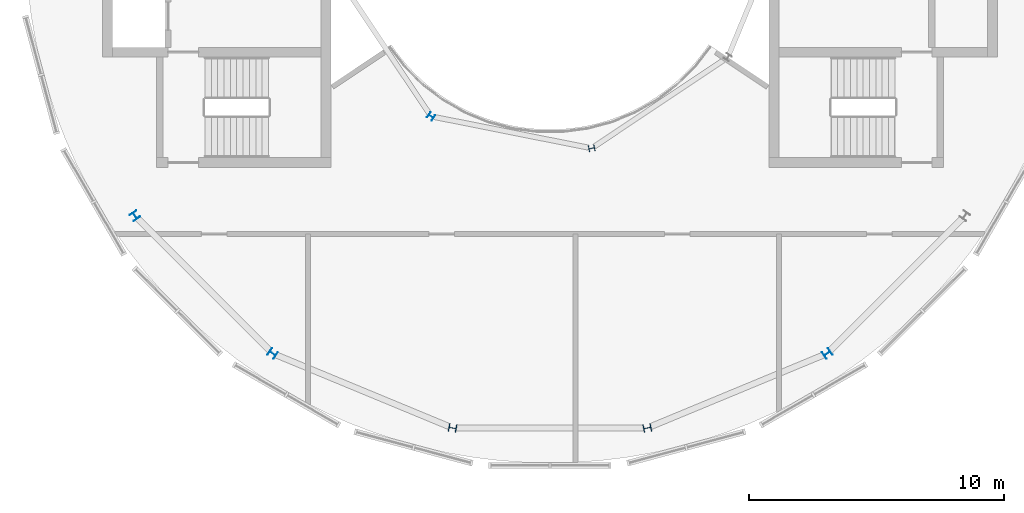
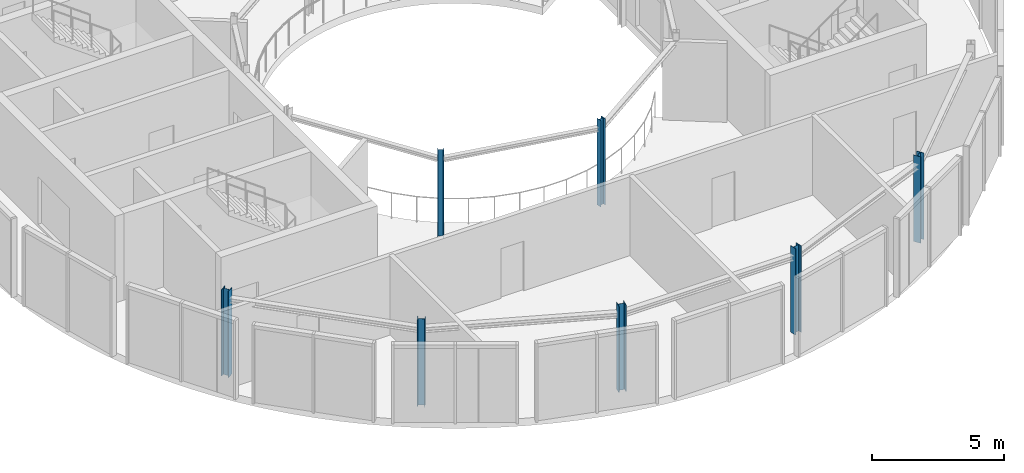
# One storey, part 1 of 12: 7 columns.
"""IFC4 building model written with IfcOpenShell, lengths in metres."""

from ifc_helpers import new_model, si_unit, direction, frame, origin, origin_2d, place, context, subcontext, project, spatial, i_section, extrude, material, material_profile, profile_set, type_object, element, save


model = new_model("IFC4")

# Units and contexts
model_context = context("Model", 3, precision=1e-05, world=origin(), true_north=direction((0.0, 1.0)))
body_context = subcontext(model_context, "Body", "Model", "MODEL_VIEW")
ifc_project = project(units=[si_unit("LENGTHUNIT", "METRE"), si_unit("AREAUNIT", "SQUARE_METRE"), si_unit("VOLUMEUNIT", "CUBIC_METRE"), si_unit("PLANEANGLEUNIT", "RADIAN"), si_unit("MASSUNIT", "GRAM", prefix="KILO")], contexts=[model_context])

# Site, building, storey
site_placement = place(None, origin())
site = spatial("IfcSite", under=ifc_project, at=site_placement, CompositionType="ELEMENT")
building_placement = place(site_placement, origin())
building = spatial("IfcBuilding", under=site, at=building_placement, Name="Maasbend Ring Residences", CompositionType="ELEMENT")
storey_placement = place(building_placement, frame((0.0, 0.0, 261.5)))
storey = spatial("IfcBuildingStorey", under=building, at=storey_placement, Name="L75", CompositionType="ELEMENT", Elevation=261.5)

# Columns
ifc_material_1 = material(Name="Steel S355J2", Category="steel")
ifc_material_profile_1 = material_profile(ifc_material_1, i_section(OverallWidth=0.239990234375, OverallDepth=0.22998046875, WebThickness=0.007568359375, FlangeThickness=0.011962890625, FilletRadius=0.02099609375, at=origin_2d()), Name="HEA 240")
ifc_profile_set_1 = profile_set([ifc_material_profile_1], Name="Steel S355J2")
column_type_1 = type_object("IfcColumnType", Name="Steel column HEA 240", PredefinedType="COLUMN", material=ifc_profile_set_1)
for number, where, z_axis, x_axis, name in (
    (1, (-4.666748046875, -6.984375, 0.0), (0.0, 0.0, 1.0), (-0.55557023302, -0.831469612303, 0.0), "Well ring column R11"),
    (2, (1.638916015625, -8.238525390625, 0.0), (0.0, 0.0, 1.0), (0.195090322016, -0.980785280403, 0.0), "Well ring column R13"),
):
    element("IfcColumn", number, at=place(storey_placement, frame(where, z_axis=z_axis, x_axis=x_axis)), inside=storey, type_object=column_type_1, Name=name, PredefinedType="COLUMN", context=body_context, shape_type="SweptSolid", body=[
        extrude(i_section(OverallWidth=0.239990234375, OverallDepth=0.22998046875, WebThickness=0.007568359375, FlangeThickness=0.011962890625, FilletRadius=0.02099609375, at=origin_2d()), origin(), (0.0, 0.0, 1.0), 4.0),
    ])
ifc_material_2 = material(Name="Steel S355J2", Category="steel")
ifc_material_profile_2 = material_profile(ifc_material_2, i_section(OverallWidth=0.300048828125, OverallDepth=0.300048828125, WebThickness=0.010986328125, FlangeThickness=0.01904296875, FilletRadius=0.027099609375, at=origin_2d()), Name="HEB 300")
ifc_profile_set_2 = profile_set([ifc_material_profile_2], Name="Steel S355J2")
column_type_2 = type_object("IfcColumnType", Name="Steel column HEB 300", PredefinedType="COLUMN", material=ifc_profile_set_2)
for number, where, z_axis, x_axis, name in (
    (3, (-16.296875, -10.88916015625, 0.0), (0.0, 0.0, 1.0), (-0.831469612303, -0.55557023302, 0.0), "Corridor ring column R10"),
    (4, (-10.88916015625, -16.296875, 0.0), (0.0, 0.0, 1.0), (-0.55557023302, -0.831469612303, 0.0), "Corridor ring column R11"),
    (5, (-3.82373046875, -19.223388671875, 0.0), (0.0, 0.0, 1.0), (-0.195090322016, -0.980785280403, 0.0), "Corridor ring column R12"),
    (6, (3.82373046875, -19.223388671875, 0.0), (0.0, 0.0, 1.0), (0.195090322016, -0.980785280403, 0.0), "Corridor ring column R13"),
    (7, (10.88916015625, -16.296875, 0.0), (0.0, 0.0, 1.0), (0.55557023302, -0.831469612303, 0.0), "Corridor ring column R14"),
):
    element("IfcColumn", number, at=place(storey_placement, frame(where, z_axis=z_axis, x_axis=x_axis)), inside=storey, type_object=column_type_2, Name=name, PredefinedType="COLUMN", context=body_context, shape_type="SweptSolid", body=[
        extrude(i_section(OverallWidth=0.300048828125, OverallDepth=0.300048828125, WebThickness=0.010986328125, FlangeThickness=0.01904296875, FilletRadius=0.027099609375, at=origin_2d()), origin(), (0.0, 0.0, 1.0), 4.0),
    ])

save(model, "model.ifc")
